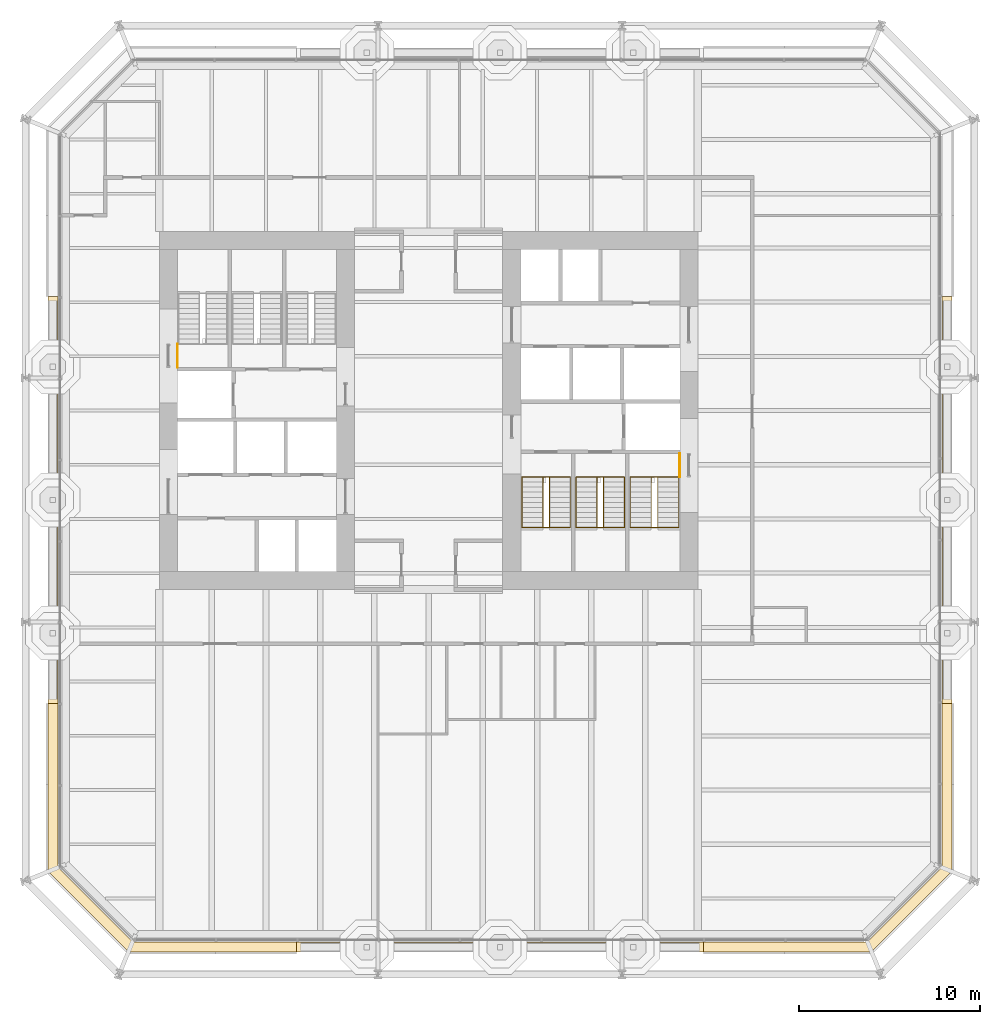
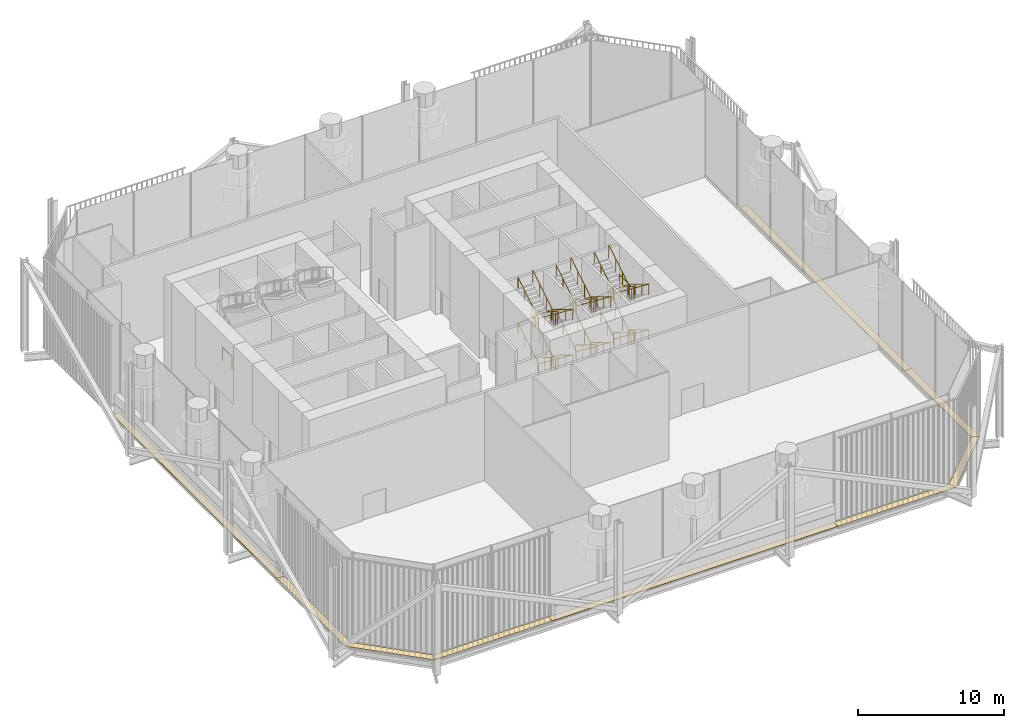
# One storey, part 16 of 18: 9 coverings, 8 railings.
"""IFC4 building model written with IfcOpenShell, lengths in metres."""

from ifc_helpers import new_model, si_unit, direction, frame, origin, origin_2d, place, context, subcontext, project, spatial, polyline, circle, outline, extrude, material, layer, layer_set, type_object, element, save


model = new_model("IFC4")

# Units and contexts
model_context = context("Model", 3, precision=1e-05, world=origin(), true_north=direction((0.0, 1.0)))
body_context = subcontext(model_context, "Body", "Model", "MODEL_VIEW")
ifc_project = project(units=[si_unit("LENGTHUNIT", "METRE"), si_unit("AREAUNIT", "SQUARE_METRE"), si_unit("VOLUMEUNIT", "CUBIC_METRE"), si_unit("PLANEANGLEUNIT", "RADIAN"), si_unit("MASSUNIT", "GRAM", prefix="KILO")], contexts=[model_context])

# Site, building, storey
site_placement = place(None, origin())
site = spatial("IfcSite", under=ifc_project, at=site_placement, CompositionType="ELEMENT")
building_placement = place(site_placement, origin())
building = spatial("IfcBuilding", under=site, at=building_placement, Name="Millrace Tower", CompositionType="ELEMENT")
storey_placement = place(building_placement, frame((0.0, 0.0, 112.800048828125)))
storey = spatial("IfcBuildingStorey", under=building, at=storey_placement, Name="L25", CompositionType="ELEMENT", Elevation=112.800048828125)

# Coverings
ifc_material_1 = material(Name="Steel ASTM A36", Category="steel")
ifc_layer = layer(ifc_material_1, 0.050048828125)
ifc_layer_set = layer_set([ifc_layer], Name="Steel ASTM A36")
covering_type = type_object("IfcCoveringType", Name="CAVITY CATWALK steel grating", PredefinedType="FLOORING", material=ifc_layer_set)
placement = place(storey_placement, frame((0.0, 0.0, 0.099853515625)))
element("IfcCovering", 1, at=placement, inside=storey, type_object=covering_type, Name="Cavity catwalk grating B-F01 L25 1", PredefinedType="FLOORING", context=body_context, shape_type="SweptSolid", body=[
    extrude(outline(polyline([(-21.050048828125, -25.5107421875), (-16.610595703125, -29.949951171875), (-16.3828125, -29.39990234375), (-20.5, -25.282958984375), (-21.050048828125, -25.5107421875)])), origin(), (0.0, 0.0, 1.0), 0.050048828125),
])
element("IfcCovering", 2, at=placement, inside=storey, type_object=covering_type, Name="Cavity catwalk grating B-F02 L25 1", PredefinedType="FLOORING", context=body_context, shape_type="SweptSolid", body=[
    extrude(outline(polyline([(-16.610595703125, -29.949951171875), (-7.300048828125, -29.949951171875), (-7.300048828125, -29.39990234375), (-16.3828125, -29.39990234375), (-16.610595703125, -29.949951171875)])), origin(), (0.0, 0.0, 1.0), 0.050048828125),
])
element("IfcCovering", 3, at=placement, inside=storey, type_object=covering_type, Name="Cavity catwalk grating B-F02 L25 2", PredefinedType="FLOORING", context=body_context, shape_type="SweptSolid", body=[
    extrude(outline(polyline([(-7.300048828125, -29.949951171875), (15.199951171875, -29.949951171875), (15.199951171875, -29.39990234375), (-7.300048828125, -29.39990234375), (-7.300048828125, -29.949951171875)])), origin(), (0.0, 0.0, 1.0), 0.050048828125),
])
element("IfcCovering", 4, at=placement, inside=storey, type_object=covering_type, Name="Cavity catwalk grating B-F02 L25 3", PredefinedType="FLOORING", context=body_context, shape_type="SweptSolid", body=[
    extrude(outline(polyline([(15.199951171875, -29.949951171875), (24.5107421875, -29.949951171875), (24.282958984375, -29.39990234375), (15.199951171875, -29.39990234375), (15.199951171875, -29.949951171875)])), origin(), (0.0, 0.0, 1.0), 0.050048828125),
])
element("IfcCovering", 5, at=placement, inside=storey, type_object=covering_type, Name="Cavity catwalk grating B-F03 L25 1", PredefinedType="FLOORING", context=body_context, shape_type="SweptSolid", body=[
    extrude(outline(polyline([(24.5107421875, -29.949951171875), (28.949951171875, -25.5107421875), (28.39990234375, -25.282958984375), (24.282958984375, -29.39990234375), (24.5107421875, -29.949951171875)])), origin(), (0.0, 0.0, 1.0), 0.050048828125),
])
element("IfcCovering", 6, at=placement, inside=storey, type_object=covering_type, Name="Cavity catwalk grating B-F04 L25 1", PredefinedType="FLOORING", context=body_context, shape_type="SweptSolid", body=[
    extrude(outline(polyline([(28.949951171875, -25.5107421875), (28.949951171875, -16.199951171875), (28.39990234375, -16.199951171875), (28.39990234375, -25.282958984375), (28.949951171875, -25.5107421875)])), origin(), (0.0, 0.0, 1.0), 0.050048828125),
])
element("IfcCovering", 7, at=placement, inside=storey, type_object=covering_type, Name="Cavity catwalk grating B-F04 L25 2", PredefinedType="FLOORING", context=body_context, shape_type="SweptSolid", body=[
    extrude(outline(polyline([(28.949951171875, -16.199951171875), (28.949951171875, 6.300048828125), (28.39990234375, 6.300048828125), (28.39990234375, -16.199951171875), (28.949951171875, -16.199951171875)])), origin(), (0.0, 0.0, 1.0), 0.050048828125),
])
element("IfcCovering", 8, at=placement, inside=storey, type_object=covering_type, Name="Cavity catwalk grating B-F08 L25 2", PredefinedType="FLOORING", context=body_context, shape_type="SweptSolid", body=[
    extrude(outline(polyline([(-21.050048828125, 6.300048828125), (-21.050048828125, -16.199951171875), (-20.5, -16.199951171875), (-20.5, 6.300048828125), (-21.050048828125, 6.300048828125)])), origin(), (0.0, 0.0, 1.0), 0.050048828125),
])
element("IfcCovering", 9, at=placement, inside=storey, type_object=covering_type, Name="Cavity catwalk grating B-F08 L25 3", PredefinedType="FLOORING", context=body_context, shape_type="SweptSolid", body=[
    extrude(outline(polyline([(-21.050048828125, -16.199951171875), (-21.050048828125, -25.5107421875), (-20.5, -25.282958984375), (-20.5, -16.199951171875), (-21.050048828125, -16.199951171875)])), origin(), (0.0, 0.0, 1.0), 0.050048828125),
])

# Railings
ifc_material_2 = material(Name="Stainless steel ASTM A240 type 316", Category="steel")
railing_type_1 = type_object("IfcRailingType", Name="Stair guard 1100", PredefinedType="GUARDRAIL", material=ifc_material_2)
railing_1_placement = place(storey_placement, frame((-13.89990234375, 2.3798828125, 3.800048828125)))
element("IfcRailing", 10, at=railing_1_placement, inside=storey, type_object=railing_type_1, Name="Stair door landing guard W L25", PredefinedType="GUARDRAIL", context=body_context, shape_type="SweptSolid", body=[
    extrude(circle(Radius=0.02392578125, at=origin_2d()), frame((0.0, 0.0, 1.076171875), z_axis=(0.0, 1.0, 0.0), x_axis=(-1.0, 0.0, 0.0)), (0.0, 0.0, 1.0), 1.300048828125),
    extrude(circle(Radius=0.02099609375, at=origin_2d()), origin(), (0.0, 0.0, 1.0), 1.052001953125),
    extrude(circle(Radius=0.02099609375, at=origin_2d()), frame((0.0, 1.300048828125, 0.0)), (0.0, 0.0, 1.0), 1.052001953125),
])
railing_2_placement = place(storey_placement, frame((12.679931640625, -3.679931640625, 0.172607421875)))
element("IfcRailing", 11, at=railing_2_placement, inside=storey, type_object=railing_type_1, Name="Stair guard 1 E L25", PredefinedType="GUARDRAIL", context=body_context, shape_type="SweptSolid", body=[
    extrude(circle(Radius=0.02392578125, at=origin_2d()), frame((0.0, 0.0, 1.076171875), z_axis=(0.0, -0.851089632645, 0.525020415988), x_axis=(1.0, 0.0, 0.0)), (0.0, 0.0, 1.0), 3.2900390625),
    extrude(circle(Radius=0.02392578125, at=origin_2d()), frame((0.0, -2.800048828125, 2.80322265625), z_axis=(-0.901408511443, 0.0, 0.432969624221), x_axis=(0.0, -1.0, 0.0)), (0.0, 0.0, 1.0), 0.399169921875),
    extrude(circle(Radius=0.02392578125, at=origin_2d()), frame((-0.35986328125, -2.800048828125, 2.97607421875), z_axis=(0.0, 0.851089632645, 0.525020415988), x_axis=(-1.0, 0.0, 0.0)), (0.0, 0.0, 1.0), 3.2900390625),
    extrude(circle(Radius=0.02392578125, at=origin_2d()), frame((-0.35986328125, 0.0, 4.70361328125), z_axis=(0.901647110569, 0.0, 0.432472528611), x_axis=(0.0, 1.0, 0.0)), (0.0, 0.0, 1.0), 0.399169921875),
    extrude(circle(Radius=0.02392578125, at=origin_2d()), frame((0.0, 0.0, 4.8759765625), z_axis=(0.0, -0.851089632645, 0.525020415988), x_axis=(1.0, 0.0, 0.0)), (0.0, 0.0, 1.0), 3.2900390625),
    extrude(circle(Radius=0.02392578125, at=origin_2d()), frame((0.0, -2.800048828125, 6.603515625), z_axis=(-0.901647110569, 0.0, 0.432472528611), x_axis=(0.0, -1.0, 0.0)), (0.0, 0.0, 1.0), 0.399169921875),
    extrude(circle(Radius=0.02392578125, at=origin_2d()), frame((-0.35986328125, -2.800048828125, 6.77587890625), z_axis=(0.0, 0.851089632645, 0.525020415988), x_axis=(-1.0, 0.0, 0.0)), (0.0, 0.0, 1.0), 3.2900390625),
    extrude(circle(Radius=0.02099609375, at=origin_2d()), origin(), (0.0, 0.0, 1.0), 1.052001953125),
    extrude(circle(Radius=0.02099609375, at=origin_2d()), frame((0.0, -0.933349609375, 0.57568359375)), (0.0, 0.0, 1.0), 1.052001953125),
    extrude(circle(Radius=0.02099609375, at=origin_2d()), frame((0.0, -1.86669921875, 1.151611328125)), (0.0, 0.0, 1.0), 1.052001953125),
    extrude(circle(Radius=0.02099609375, at=origin_2d()), frame((0.0, -2.800048828125, 1.727294921875)), (0.0, 0.0, 1.0), 1.052001953125),
    extrude(circle(Radius=0.02099609375, at=origin_2d()), frame((-0.35986328125, -2.800048828125, 1.900146484375)), (0.0, 0.0, 1.0), 1.052001953125),
    extrude(circle(Radius=0.02099609375, at=origin_2d()), frame((-0.35986328125, -1.86669921875, 2.475830078125)), (0.0, 0.0, 1.0), 1.052001953125),
    extrude(circle(Radius=0.02099609375, at=origin_2d()), frame((-0.35986328125, -0.933349609375, 3.0517578125)), (0.0, 0.0, 1.0), 1.052001953125),
    extrude(circle(Radius=0.02099609375, at=origin_2d()), frame((-0.35986328125, 0.0, 3.62744140625)), (0.0, 0.0, 1.0), 1.052001953125),
    extrude(circle(Radius=0.02099609375, at=origin_2d()), frame((0.0, 0.0, 3.800048828125)), (0.0, 0.0, 1.0), 1.052001953125),
    extrude(circle(Radius=0.02099609375, at=origin_2d()), frame((0.0, -0.933349609375, 4.375732421875)), (0.0, 0.0, 1.0), 1.052001953125),
    extrude(circle(Radius=0.02099609375, at=origin_2d()), frame((0.0, -1.86669921875, 4.95166015625)), (0.0, 0.0, 1.0), 1.052001953125),
    extrude(circle(Radius=0.02099609375, at=origin_2d()), frame((0.0, -2.800048828125, 5.52734375)), (0.0, 0.0, 1.0), 1.052001953125),
    extrude(circle(Radius=0.02099609375, at=origin_2d()), frame((-0.35986328125, -2.800048828125, 5.699951171875)), (0.0, 0.0, 1.0), 1.052001953125),
    extrude(circle(Radius=0.02099609375, at=origin_2d()), frame((-0.35986328125, -1.86669921875, 6.275634765625)), (0.0, 0.0, 1.0), 1.052001953125),
    extrude(circle(Radius=0.02099609375, at=origin_2d()), frame((-0.35986328125, -0.933349609375, 6.8515625)), (0.0, 0.0, 1.0), 1.052001953125),
    extrude(circle(Radius=0.02099609375, at=origin_2d()), frame((-0.35986328125, 0.0, 7.42724609375)), (0.0, 0.0, 1.0), 1.052001953125),
])
railing_3_placement = place(storey_placement, frame((13.89990234375, -3.679931640625, 3.800048828125)))
element("IfcRailing", 12, at=railing_3_placement, inside=storey, type_object=railing_type_1, Name="Stair door landing guard E L25", PredefinedType="GUARDRAIL", context=body_context, shape_type="SweptSolid", body=[
    extrude(circle(Radius=0.02392578125, at=origin_2d()), frame((0.0, 0.0, 1.076171875), z_axis=(0.0, 1.0, 0.0), x_axis=(-1.0, 0.0, 0.0)), (0.0, 0.0, 1.0), 1.300048828125),
    extrude(circle(Radius=0.02099609375, at=origin_2d()), origin(), (0.0, 0.0, 1.0), 1.052001953125),
    extrude(circle(Radius=0.02099609375, at=origin_2d()), frame((0.0, 1.300048828125, 0.0)), (0.0, 0.0, 1.0), 1.052001953125),
])
railing_4_placement = place(storey_placement, frame((9.679931640625, -3.679931640625, 0.172607421875)))
element("IfcRailing", 13, at=railing_4_placement, inside=storey, type_object=railing_type_1, Name="Stair guard 2 E L25", PredefinedType="GUARDRAIL", context=body_context, shape_type="SweptSolid", body=[
    extrude(circle(Radius=0.02392578125, at=origin_2d()), frame((0.0, 0.0, 1.076171875), z_axis=(0.0, -0.851089632645, 0.525020415988), x_axis=(1.0, 0.0, 0.0)), (0.0, 0.0, 1.0), 3.2900390625),
    extrude(circle(Radius=0.02392578125, at=origin_2d()), frame((0.0, -2.800048828125, 2.80322265625), z_axis=(-0.901408511443, 0.0, 0.432969624221), x_axis=(0.0, -1.0, 0.0)), (0.0, 0.0, 1.0), 0.399169921875),
    extrude(circle(Radius=0.02392578125, at=origin_2d()), frame((-0.35986328125, -2.800048828125, 2.97607421875), z_axis=(0.0, 0.851089632645, 0.525020415988), x_axis=(-1.0, 0.0, 0.0)), (0.0, 0.0, 1.0), 3.2900390625),
    extrude(circle(Radius=0.02392578125, at=origin_2d()), frame((-0.35986328125, 0.0, 4.70361328125), z_axis=(0.901647110569, 0.0, 0.432472528611), x_axis=(0.0, 1.0, 0.0)), (0.0, 0.0, 1.0), 0.399169921875),
    extrude(circle(Radius=0.02392578125, at=origin_2d()), frame((0.0, 0.0, 4.8759765625), z_axis=(0.0, -0.851089632645, 0.525020415988), x_axis=(1.0, 0.0, 0.0)), (0.0, 0.0, 1.0), 3.2900390625),
    extrude(circle(Radius=0.02392578125, at=origin_2d()), frame((0.0, -2.800048828125, 6.603515625), z_axis=(-0.901647110569, 0.0, 0.432472528611), x_axis=(0.0, -1.0, 0.0)), (0.0, 0.0, 1.0), 0.399169921875),
    extrude(circle(Radius=0.02392578125, at=origin_2d()), frame((-0.35986328125, -2.800048828125, 6.77587890625), z_axis=(0.0, 0.851089632645, 0.525020415988), x_axis=(-1.0, 0.0, 0.0)), (0.0, 0.0, 1.0), 3.2900390625),
    extrude(circle(Radius=0.02099609375, at=origin_2d()), origin(), (0.0, 0.0, 1.0), 1.052001953125),
    extrude(circle(Radius=0.02099609375, at=origin_2d()), frame((0.0, -0.933349609375, 0.57568359375)), (0.0, 0.0, 1.0), 1.052001953125),
    extrude(circle(Radius=0.02099609375, at=origin_2d()), frame((0.0, -1.86669921875, 1.151611328125)), (0.0, 0.0, 1.0), 1.052001953125),
    extrude(circle(Radius=0.02099609375, at=origin_2d()), frame((0.0, -2.800048828125, 1.727294921875)), (0.0, 0.0, 1.0), 1.052001953125),
    extrude(circle(Radius=0.02099609375, at=origin_2d()), frame((-0.35986328125, -2.800048828125, 1.900146484375)), (0.0, 0.0, 1.0), 1.052001953125),
    extrude(circle(Radius=0.02099609375, at=origin_2d()), frame((-0.35986328125, -1.86669921875, 2.475830078125)), (0.0, 0.0, 1.0), 1.052001953125),
    extrude(circle(Radius=0.02099609375, at=origin_2d()), frame((-0.35986328125, -0.933349609375, 3.0517578125)), (0.0, 0.0, 1.0), 1.052001953125),
    extrude(circle(Radius=0.02099609375, at=origin_2d()), frame((-0.35986328125, 0.0, 3.62744140625)), (0.0, 0.0, 1.0), 1.052001953125),
    extrude(circle(Radius=0.02099609375, at=origin_2d()), frame((0.0, 0.0, 3.800048828125)), (0.0, 0.0, 1.0), 1.052001953125),
    extrude(circle(Radius=0.02099609375, at=origin_2d()), frame((0.0, -0.933349609375, 4.375732421875)), (0.0, 0.0, 1.0), 1.052001953125),
    extrude(circle(Radius=0.02099609375, at=origin_2d()), frame((0.0, -1.86669921875, 4.95166015625)), (0.0, 0.0, 1.0), 1.052001953125),
    extrude(circle(Radius=0.02099609375, at=origin_2d()), frame((0.0, -2.800048828125, 5.52734375)), (0.0, 0.0, 1.0), 1.052001953125),
    extrude(circle(Radius=0.02099609375, at=origin_2d()), frame((-0.35986328125, -2.800048828125, 5.699951171875)), (0.0, 0.0, 1.0), 1.052001953125),
    extrude(circle(Radius=0.02099609375, at=origin_2d()), frame((-0.35986328125, -1.86669921875, 6.275634765625)), (0.0, 0.0, 1.0), 1.052001953125),
    extrude(circle(Radius=0.02099609375, at=origin_2d()), frame((-0.35986328125, -0.933349609375, 6.8515625)), (0.0, 0.0, 1.0), 1.052001953125),
    extrude(circle(Radius=0.02099609375, at=origin_2d()), frame((-0.35986328125, 0.0, 7.42724609375)), (0.0, 0.0, 1.0), 1.052001953125),
])
railing_5_placement = place(storey_placement, frame((6.679931640625, -3.679931640625, 0.172607421875)))
element("IfcRailing", 14, at=railing_5_placement, inside=storey, type_object=railing_type_1, Name="Stair guard 3 E L25", PredefinedType="GUARDRAIL", context=body_context, shape_type="SweptSolid", body=[
    extrude(circle(Radius=0.02392578125, at=origin_2d()), frame((0.0, 0.0, 1.076171875), z_axis=(0.0, -0.851089632645, 0.525020415988), x_axis=(1.0, 0.0, 0.0)), (0.0, 0.0, 1.0), 3.2900390625),
    extrude(circle(Radius=0.02392578125, at=origin_2d()), frame((0.0, -2.800048828125, 2.80322265625), z_axis=(-0.901408511443, 0.0, 0.432969624221), x_axis=(0.0, -1.0, 0.0)), (0.0, 0.0, 1.0), 0.399169921875),
    extrude(circle(Radius=0.02392578125, at=origin_2d()), frame((-0.35986328125, -2.800048828125, 2.97607421875), z_axis=(0.0, 0.851089632645, 0.525020415988), x_axis=(-1.0, 0.0, 0.0)), (0.0, 0.0, 1.0), 3.2900390625),
    extrude(circle(Radius=0.02392578125, at=origin_2d()), frame((-0.35986328125, 0.0, 4.70361328125), z_axis=(0.901647110569, 0.0, 0.432472528611), x_axis=(0.0, 1.0, 0.0)), (0.0, 0.0, 1.0), 0.399169921875),
    extrude(circle(Radius=0.02392578125, at=origin_2d()), frame((0.0, 0.0, 4.8759765625), z_axis=(0.0, -0.851089632645, 0.525020415988), x_axis=(1.0, 0.0, 0.0)), (0.0, 0.0, 1.0), 3.2900390625),
    extrude(circle(Radius=0.02392578125, at=origin_2d()), frame((0.0, -2.800048828125, 6.603515625), z_axis=(-0.901647110569, 0.0, 0.432472528611), x_axis=(0.0, -1.0, 0.0)), (0.0, 0.0, 1.0), 0.399169921875),
    extrude(circle(Radius=0.02392578125, at=origin_2d()), frame((-0.35986328125, -2.800048828125, 6.77587890625), z_axis=(0.0, 0.851089632645, 0.525020415988), x_axis=(-1.0, 0.0, 0.0)), (0.0, 0.0, 1.0), 3.2900390625),
    extrude(circle(Radius=0.02099609375, at=origin_2d()), origin(), (0.0, 0.0, 1.0), 1.052001953125),
    extrude(circle(Radius=0.02099609375, at=origin_2d()), frame((0.0, -0.933349609375, 0.57568359375)), (0.0, 0.0, 1.0), 1.052001953125),
    extrude(circle(Radius=0.02099609375, at=origin_2d()), frame((0.0, -1.86669921875, 1.151611328125)), (0.0, 0.0, 1.0), 1.052001953125),
    extrude(circle(Radius=0.02099609375, at=origin_2d()), frame((0.0, -2.800048828125, 1.727294921875)), (0.0, 0.0, 1.0), 1.052001953125),
    extrude(circle(Radius=0.02099609375, at=origin_2d()), frame((-0.35986328125, -2.800048828125, 1.900146484375)), (0.0, 0.0, 1.0), 1.052001953125),
    extrude(circle(Radius=0.02099609375, at=origin_2d()), frame((-0.35986328125, -1.86669921875, 2.475830078125)), (0.0, 0.0, 1.0), 1.052001953125),
    extrude(circle(Radius=0.02099609375, at=origin_2d()), frame((-0.35986328125, -0.933349609375, 3.0517578125)), (0.0, 0.0, 1.0), 1.052001953125),
    extrude(circle(Radius=0.02099609375, at=origin_2d()), frame((-0.35986328125, 0.0, 3.62744140625)), (0.0, 0.0, 1.0), 1.052001953125),
    extrude(circle(Radius=0.02099609375, at=origin_2d()), frame((0.0, 0.0, 3.800048828125)), (0.0, 0.0, 1.0), 1.052001953125),
    extrude(circle(Radius=0.02099609375, at=origin_2d()), frame((0.0, -0.933349609375, 4.375732421875)), (0.0, 0.0, 1.0), 1.052001953125),
    extrude(circle(Radius=0.02099609375, at=origin_2d()), frame((0.0, -1.86669921875, 4.95166015625)), (0.0, 0.0, 1.0), 1.052001953125),
    extrude(circle(Radius=0.02099609375, at=origin_2d()), frame((0.0, -2.800048828125, 5.52734375)), (0.0, 0.0, 1.0), 1.052001953125),
    extrude(circle(Radius=0.02099609375, at=origin_2d()), frame((-0.35986328125, -2.800048828125, 5.699951171875)), (0.0, 0.0, 1.0), 1.052001953125),
    extrude(circle(Radius=0.02099609375, at=origin_2d()), frame((-0.35986328125, -1.86669921875, 6.275634765625)), (0.0, 0.0, 1.0), 1.052001953125),
    extrude(circle(Radius=0.02099609375, at=origin_2d()), frame((-0.35986328125, -0.933349609375, 6.8515625)), (0.0, 0.0, 1.0), 1.052001953125),
    extrude(circle(Radius=0.02099609375, at=origin_2d()), frame((-0.35986328125, 0.0, 7.42724609375)), (0.0, 0.0, 1.0), 1.052001953125),
])
ifc_material_3 = material(Name="Stainless steel ASTM A240 type 316", Category="steel")
railing_type_2 = type_object("IfcRailingType", Name="Stair handrail 900", PredefinedType="HANDRAIL", material=ifc_material_3)
railing_6_placement = place(storey_placement, frame((13.840087890625, -3.679931640625, 0.172607421875)))
element("IfcRailing", 15, at=railing_6_placement, inside=storey, type_object=railing_type_2, Name="Stair handrail 1 E L25", PredefinedType="HANDRAIL", context=body_context, shape_type="SweptSolid", body=[
    extrude(circle(Radius=0.02392578125, at=origin_2d()), frame((0.0, 0.0, 0.8759765625), z_axis=(0.0, -0.851089632645, 0.525020415988), x_axis=(1.0, 0.0, 0.0)), (0.0, 0.0, 1.0), 3.2900390625),
    extrude(circle(Radius=0.02392578125, at=origin_2d()), frame((0.0, -2.800048828125, 2.60302734375), z_axis=(-0.997926815885, 0.0, 0.064358916528), x_axis=(0.0, -1.0, 0.0)), (0.0, 0.0, 1.0), 2.685791015625),
    extrude(circle(Radius=0.02392578125, at=origin_2d()), frame((-2.68017578125, -2.800048828125, 2.77587890625), z_axis=(0.0, 0.851089632645, 0.525020415988), x_axis=(-1.0, 0.0, 0.0)), (0.0, 0.0, 1.0), 3.2900390625),
    extrude(circle(Radius=0.02392578125, at=origin_2d()), frame((-2.68017578125, 0.0, 4.50341796875), z_axis=(0.997932650066, 0.0, 0.064268389834), x_axis=(0.0, 1.0, 0.0)), (0.0, 0.0, 1.0), 2.685791015625),
    extrude(circle(Radius=0.02392578125, at=origin_2d()), frame((0.0, 0.0, 4.67578125), z_axis=(0.0, -0.851089632645, 0.525020415988), x_axis=(1.0, 0.0, 0.0)), (0.0, 0.0, 1.0), 3.2900390625),
    extrude(circle(Radius=0.02392578125, at=origin_2d()), frame((0.0, -2.800048828125, 6.4033203125), z_axis=(-0.997932650066, 0.0, 0.064268389834), x_axis=(0.0, -1.0, 0.0)), (0.0, 0.0, 1.0), 2.685791015625),
    extrude(circle(Radius=0.02392578125, at=origin_2d()), frame((-2.68017578125, -2.800048828125, 6.57568359375), z_axis=(0.0, 0.851089632645, 0.525020415988), x_axis=(-1.0, 0.0, 0.0)), (0.0, 0.0, 1.0), 3.2900390625),
    extrude(circle(Radius=0.02099609375, at=origin_2d()), origin(), (0.0, 0.0, 1.0), 0.851806640625),
    extrude(circle(Radius=0.02099609375, at=origin_2d()), frame((0.0, -0.933349609375, 0.57568359375)), (0.0, 0.0, 1.0), 0.851806640625),
    extrude(circle(Radius=0.02099609375, at=origin_2d()), frame((0.0, -1.86669921875, 1.151611328125)), (0.0, 0.0, 1.0), 0.851806640625),
    extrude(circle(Radius=0.02099609375, at=origin_2d()), frame((0.0, -2.800048828125, 1.727294921875)), (0.0, 0.0, 1.0), 0.851806640625),
    extrude(circle(Radius=0.02099609375, at=origin_2d()), frame((-1.340087890625, -2.800048828125, 1.813720703125)), (0.0, 0.0, 1.0), 0.851806640625),
    extrude(circle(Radius=0.02099609375, at=origin_2d()), frame((-2.68017578125, -2.800048828125, 1.900146484375)), (0.0, 0.0, 1.0), 0.851806640625),
    extrude(circle(Radius=0.02099609375, at=origin_2d()), frame((-2.68017578125, -1.86669921875, 2.475830078125)), (0.0, 0.0, 1.0), 0.851806640625),
    extrude(circle(Radius=0.02099609375, at=origin_2d()), frame((-2.68017578125, -0.933349609375, 3.0517578125)), (0.0, 0.0, 1.0), 0.851806640625),
    extrude(circle(Radius=0.02099609375, at=origin_2d()), frame((-2.68017578125, 0.0, 3.62744140625)), (0.0, 0.0, 1.0), 0.851806640625),
    extrude(circle(Radius=0.02099609375, at=origin_2d()), frame((-1.340087890625, 0.0, 3.7138671875)), (0.0, 0.0, 1.0), 0.851806640625),
    extrude(circle(Radius=0.02099609375, at=origin_2d()), frame((0.0, 0.0, 3.800048828125)), (0.0, 0.0, 1.0), 0.851806640625),
    extrude(circle(Radius=0.02099609375, at=origin_2d()), frame((0.0, -0.933349609375, 4.375732421875)), (0.0, 0.0, 1.0), 0.851806640625),
    extrude(circle(Radius=0.02099609375, at=origin_2d()), frame((0.0, -1.86669921875, 4.95166015625)), (0.0, 0.0, 1.0), 0.851806640625),
    extrude(circle(Radius=0.02099609375, at=origin_2d()), frame((0.0, -2.800048828125, 5.52734375)), (0.0, 0.0, 1.0), 0.851806640625),
    extrude(circle(Radius=0.02099609375, at=origin_2d()), frame((-1.340087890625, -2.800048828125, 5.61376953125)), (0.0, 0.0, 1.0), 0.851806640625),
    extrude(circle(Radius=0.02099609375, at=origin_2d()), frame((-2.68017578125, -2.800048828125, 5.699951171875)), (0.0, 0.0, 1.0), 0.851806640625),
    extrude(circle(Radius=0.02099609375, at=origin_2d()), frame((-2.68017578125, -1.86669921875, 6.275634765625)), (0.0, 0.0, 1.0), 0.851806640625),
    extrude(circle(Radius=0.02099609375, at=origin_2d()), frame((-2.68017578125, -0.933349609375, 6.8515625)), (0.0, 0.0, 1.0), 0.851806640625),
    extrude(circle(Radius=0.02099609375, at=origin_2d()), frame((-2.68017578125, 0.0, 7.42724609375)), (0.0, 0.0, 1.0), 0.851806640625),
])
railing_7_placement = place(storey_placement, frame((10.840087890625, -3.679931640625, 0.172607421875)))
element("IfcRailing", 16, at=railing_7_placement, inside=storey, type_object=railing_type_2, Name="Stair handrail 2 E L25", PredefinedType="HANDRAIL", context=body_context, shape_type="SweptSolid", body=[
    extrude(circle(Radius=0.02392578125, at=origin_2d()), frame((0.0, 0.0, 0.8759765625), z_axis=(0.0, -0.851089632645, 0.525020415988), x_axis=(1.0, 0.0, 0.0)), (0.0, 0.0, 1.0), 3.2900390625),
    extrude(circle(Radius=0.02392578125, at=origin_2d()), frame((0.0, -2.800048828125, 2.60302734375), z_axis=(-0.997926815885, 0.0, 0.064358916528), x_axis=(0.0, -1.0, 0.0)), (0.0, 0.0, 1.0), 2.685791015625),
    extrude(circle(Radius=0.02392578125, at=origin_2d()), frame((-2.68017578125, -2.800048828125, 2.77587890625), z_axis=(0.0, 0.851089632645, 0.525020415988), x_axis=(-1.0, 0.0, 0.0)), (0.0, 0.0, 1.0), 3.2900390625),
    extrude(circle(Radius=0.02392578125, at=origin_2d()), frame((-2.68017578125, 0.0, 4.50341796875), z_axis=(0.997932650066, 0.0, 0.064268389834), x_axis=(0.0, 1.0, 0.0)), (0.0, 0.0, 1.0), 2.685791015625),
    extrude(circle(Radius=0.02392578125, at=origin_2d()), frame((0.0, 0.0, 4.67578125), z_axis=(0.0, -0.851089632645, 0.525020415988), x_axis=(1.0, 0.0, 0.0)), (0.0, 0.0, 1.0), 3.2900390625),
    extrude(circle(Radius=0.02392578125, at=origin_2d()), frame((0.0, -2.800048828125, 6.4033203125), z_axis=(-0.997932650066, 0.0, 0.064268389834), x_axis=(0.0, -1.0, 0.0)), (0.0, 0.0, 1.0), 2.685791015625),
    extrude(circle(Radius=0.02392578125, at=origin_2d()), frame((-2.68017578125, -2.800048828125, 6.57568359375), z_axis=(0.0, 0.851089632645, 0.525020415988), x_axis=(-1.0, 0.0, 0.0)), (0.0, 0.0, 1.0), 3.2900390625),
    extrude(circle(Radius=0.02099609375, at=origin_2d()), origin(), (0.0, 0.0, 1.0), 0.851806640625),
    extrude(circle(Radius=0.02099609375, at=origin_2d()), frame((0.0, -0.933349609375, 0.57568359375)), (0.0, 0.0, 1.0), 0.851806640625),
    extrude(circle(Radius=0.02099609375, at=origin_2d()), frame((0.0, -1.86669921875, 1.151611328125)), (0.0, 0.0, 1.0), 0.851806640625),
    extrude(circle(Radius=0.02099609375, at=origin_2d()), frame((0.0, -2.800048828125, 1.727294921875)), (0.0, 0.0, 1.0), 0.851806640625),
    extrude(circle(Radius=0.02099609375, at=origin_2d()), frame((-1.340087890625, -2.800048828125, 1.813720703125)), (0.0, 0.0, 1.0), 0.851806640625),
    extrude(circle(Radius=0.02099609375, at=origin_2d()), frame((-2.68017578125, -2.800048828125, 1.900146484375)), (0.0, 0.0, 1.0), 0.851806640625),
    extrude(circle(Radius=0.02099609375, at=origin_2d()), frame((-2.68017578125, -1.86669921875, 2.475830078125)), (0.0, 0.0, 1.0), 0.851806640625),
    extrude(circle(Radius=0.02099609375, at=origin_2d()), frame((-2.68017578125, -0.933349609375, 3.0517578125)), (0.0, 0.0, 1.0), 0.851806640625),
    extrude(circle(Radius=0.02099609375, at=origin_2d()), frame((-2.68017578125, 0.0, 3.62744140625)), (0.0, 0.0, 1.0), 0.851806640625),
    extrude(circle(Radius=0.02099609375, at=origin_2d()), frame((-1.340087890625, 0.0, 3.7138671875)), (0.0, 0.0, 1.0), 0.851806640625),
    extrude(circle(Radius=0.02099609375, at=origin_2d()), frame((0.0, 0.0, 3.800048828125)), (0.0, 0.0, 1.0), 0.851806640625),
    extrude(circle(Radius=0.02099609375, at=origin_2d()), frame((0.0, -0.933349609375, 4.375732421875)), (0.0, 0.0, 1.0), 0.851806640625),
    extrude(circle(Radius=0.02099609375, at=origin_2d()), frame((0.0, -1.86669921875, 4.95166015625)), (0.0, 0.0, 1.0), 0.851806640625),
    extrude(circle(Radius=0.02099609375, at=origin_2d()), frame((0.0, -2.800048828125, 5.52734375)), (0.0, 0.0, 1.0), 0.851806640625),
    extrude(circle(Radius=0.02099609375, at=origin_2d()), frame((-1.340087890625, -2.800048828125, 5.61376953125)), (0.0, 0.0, 1.0), 0.851806640625),
    extrude(circle(Radius=0.02099609375, at=origin_2d()), frame((-2.68017578125, -2.800048828125, 5.699951171875)), (0.0, 0.0, 1.0), 0.851806640625),
    extrude(circle(Radius=0.02099609375, at=origin_2d()), frame((-2.68017578125, -1.86669921875, 6.275634765625)), (0.0, 0.0, 1.0), 0.851806640625),
    extrude(circle(Radius=0.02099609375, at=origin_2d()), frame((-2.68017578125, -0.933349609375, 6.8515625)), (0.0, 0.0, 1.0), 0.851806640625),
    extrude(circle(Radius=0.02099609375, at=origin_2d()), frame((-2.68017578125, 0.0, 7.42724609375)), (0.0, 0.0, 1.0), 0.851806640625),
])
railing_8_placement = place(storey_placement, frame((7.840087890625, -3.679931640625, 0.172607421875)))
element("IfcRailing", 17, at=railing_8_placement, inside=storey, type_object=railing_type_2, Name="Stair handrail 3 E L25", PredefinedType="HANDRAIL", context=body_context, shape_type="SweptSolid", body=[
    extrude(circle(Radius=0.02392578125, at=origin_2d()), frame((0.0, 0.0, 0.8759765625), z_axis=(0.0, -0.851089632645, 0.525020415988), x_axis=(1.0, 0.0, 0.0)), (0.0, 0.0, 1.0), 3.2900390625),
    extrude(circle(Radius=0.02392578125, at=origin_2d()), frame((0.0, -2.800048828125, 2.60302734375), z_axis=(-0.997926815885, 0.0, 0.064358916528), x_axis=(0.0, -1.0, 0.0)), (0.0, 0.0, 1.0), 2.685791015625),
    extrude(circle(Radius=0.02392578125, at=origin_2d()), frame((-2.68017578125, -2.800048828125, 2.77587890625), z_axis=(0.0, 0.851089632645, 0.525020415988), x_axis=(-1.0, 0.0, 0.0)), (0.0, 0.0, 1.0), 3.2900390625),
    extrude(circle(Radius=0.02392578125, at=origin_2d()), frame((-2.68017578125, 0.0, 4.50341796875), z_axis=(0.997932650066, 0.0, 0.064268389834), x_axis=(0.0, 1.0, 0.0)), (0.0, 0.0, 1.0), 2.685791015625),
    extrude(circle(Radius=0.02392578125, at=origin_2d()), frame((0.0, 0.0, 4.67578125), z_axis=(0.0, -0.851089632645, 0.525020415988), x_axis=(1.0, 0.0, 0.0)), (0.0, 0.0, 1.0), 3.2900390625),
    extrude(circle(Radius=0.02392578125, at=origin_2d()), frame((0.0, -2.800048828125, 6.4033203125), z_axis=(-0.997932650066, 0.0, 0.064268389834), x_axis=(0.0, -1.0, 0.0)), (0.0, 0.0, 1.0), 2.685791015625),
    extrude(circle(Radius=0.02392578125, at=origin_2d()), frame((-2.68017578125, -2.800048828125, 6.57568359375), z_axis=(0.0, 0.851089632645, 0.525020415988), x_axis=(-1.0, 0.0, 0.0)), (0.0, 0.0, 1.0), 3.2900390625),
    extrude(circle(Radius=0.02099609375, at=origin_2d()), origin(), (0.0, 0.0, 1.0), 0.851806640625),
    extrude(circle(Radius=0.02099609375, at=origin_2d()), frame((0.0, -0.933349609375, 0.57568359375)), (0.0, 0.0, 1.0), 0.851806640625),
    extrude(circle(Radius=0.02099609375, at=origin_2d()), frame((0.0, -1.86669921875, 1.151611328125)), (0.0, 0.0, 1.0), 0.851806640625),
    extrude(circle(Radius=0.02099609375, at=origin_2d()), frame((0.0, -2.800048828125, 1.727294921875)), (0.0, 0.0, 1.0), 0.851806640625),
    extrude(circle(Radius=0.02099609375, at=origin_2d()), frame((-1.340087890625, -2.800048828125, 1.813720703125)), (0.0, 0.0, 1.0), 0.851806640625),
    extrude(circle(Radius=0.02099609375, at=origin_2d()), frame((-2.68017578125, -2.800048828125, 1.900146484375)), (0.0, 0.0, 1.0), 0.851806640625),
    extrude(circle(Radius=0.02099609375, at=origin_2d()), frame((-2.68017578125, -1.86669921875, 2.475830078125)), (0.0, 0.0, 1.0), 0.851806640625),
    extrude(circle(Radius=0.02099609375, at=origin_2d()), frame((-2.68017578125, -0.933349609375, 3.0517578125)), (0.0, 0.0, 1.0), 0.851806640625),
    extrude(circle(Radius=0.02099609375, at=origin_2d()), frame((-2.68017578125, 0.0, 3.62744140625)), (0.0, 0.0, 1.0), 0.851806640625),
    extrude(circle(Radius=0.02099609375, at=origin_2d()), frame((-1.340087890625, 0.0, 3.7138671875)), (0.0, 0.0, 1.0), 0.851806640625),
    extrude(circle(Radius=0.02099609375, at=origin_2d()), frame((0.0, 0.0, 3.800048828125)), (0.0, 0.0, 1.0), 0.851806640625),
    extrude(circle(Radius=0.02099609375, at=origin_2d()), frame((0.0, -0.933349609375, 4.375732421875)), (0.0, 0.0, 1.0), 0.851806640625),
    extrude(circle(Radius=0.02099609375, at=origin_2d()), frame((0.0, -1.86669921875, 4.95166015625)), (0.0, 0.0, 1.0), 0.851806640625),
    extrude(circle(Radius=0.02099609375, at=origin_2d()), frame((0.0, -2.800048828125, 5.52734375)), (0.0, 0.0, 1.0), 0.851806640625),
    extrude(circle(Radius=0.02099609375, at=origin_2d()), frame((-1.340087890625, -2.800048828125, 5.61376953125)), (0.0, 0.0, 1.0), 0.851806640625),
    extrude(circle(Radius=0.02099609375, at=origin_2d()), frame((-2.68017578125, -2.800048828125, 5.699951171875)), (0.0, 0.0, 1.0), 0.851806640625),
    extrude(circle(Radius=0.02099609375, at=origin_2d()), frame((-2.68017578125, -1.86669921875, 6.275634765625)), (0.0, 0.0, 1.0), 0.851806640625),
    extrude(circle(Radius=0.02099609375, at=origin_2d()), frame((-2.68017578125, -0.933349609375, 6.8515625)), (0.0, 0.0, 1.0), 0.851806640625),
    extrude(circle(Radius=0.02099609375, at=origin_2d()), frame((-2.68017578125, 0.0, 7.42724609375)), (0.0, 0.0, 1.0), 0.851806640625),
])

save(model, "model.ifc")
